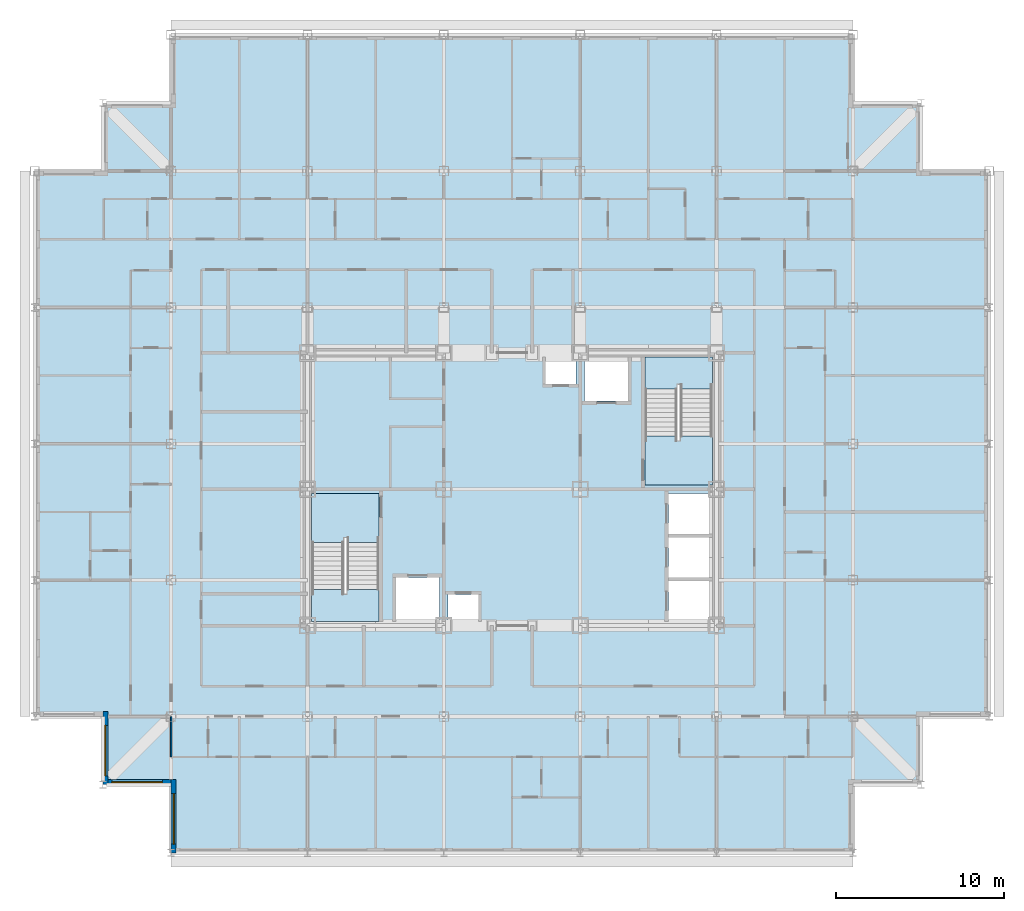
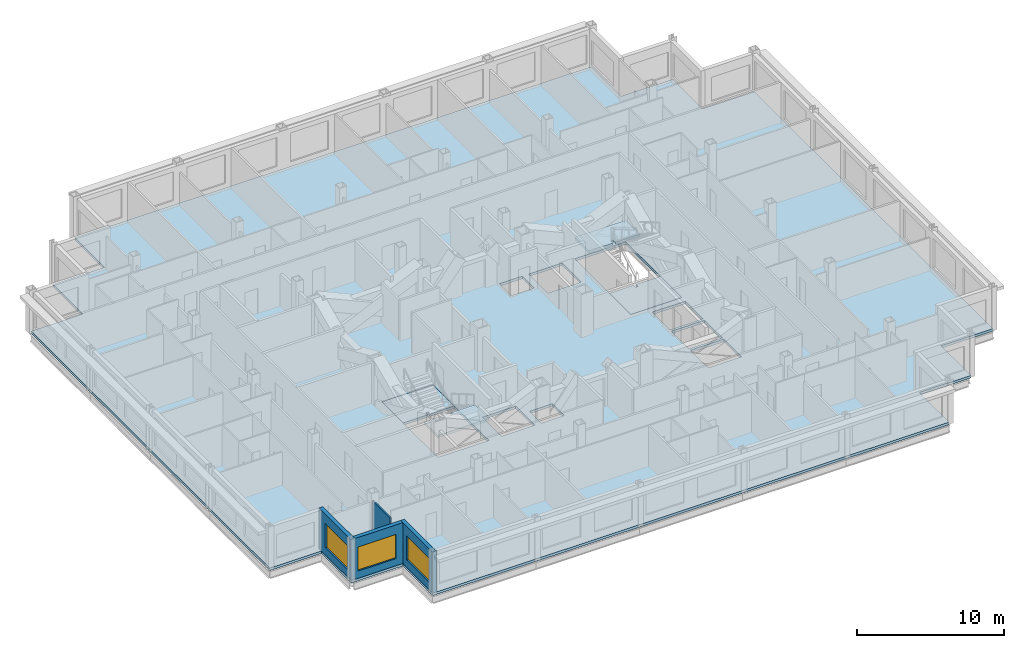
# One storey, part 3 of 12: 5 slabs, 4 walls, 3 windows, 3 openings, 2 elements without a shape of their own.
"""IFC4 building model written with IfcOpenShell, lengths in metres."""

from ifc_helpers import new_model, si_unit, direction, frame, frame_2d, origin, place, context, subcontext, project, spatial, polyline, rectangle, outline, extrude, material, layer, layer_set, type_object, element, fill, aggregate, save


model = new_model("IFC4")

# Units and contexts
model_context = context("Model", 3, precision=1e-05, world=origin(), true_north=direction((0.0, 1.0)))
body_context = subcontext(model_context, "Body", "Model", "MODEL_VIEW")
ifc_project = project(units=[si_unit("LENGTHUNIT", "METRE"), si_unit("AREAUNIT", "SQUARE_METRE"), si_unit("VOLUMEUNIT", "CUBIC_METRE"), si_unit("PLANEANGLEUNIT", "RADIAN"), si_unit("MASSUNIT", "GRAM", prefix="KILO")], contexts=[model_context])

# Site, building, storey
site_placement = place(None, origin())
site = spatial("IfcSite", under=ifc_project, at=site_placement, CompositionType="ELEMENT")
building_placement = place(site_placement, origin())
building = spatial("IfcBuilding", under=site, at=building_placement, Name="Kopane Lantern Tower", CompositionType="ELEMENT")
storey_placement = place(building_placement, frame((0.0, 0.0, 206.39990234375)))
storey = spatial("IfcBuildingStorey", under=building, at=storey_placement, Name="L53", CompositionType="ELEMENT", Elevation=206.39990234375)

# Slab
ifc_material_1 = material(Name="Concrete C40/50", Category="concrete")
ifc_layer_1 = layer(ifc_material_1, 0.2099609375)
ifc_layer_set_1 = layer_set([ifc_layer_1], Name="SLAB 210 COMPOSITE")
slab_type_1 = type_object("IfcSlabType", Name="SLAB 210 COMPOSITE", PredefinedType="FLOOR", material=ifc_layer_set_1)
slab_1_placement = place(storey_placement, frame((0.0, 0.0, -0.2099609375)))
element("IfcSlab", 1, at=slab_1_placement, inside=storey, type_object=slab_type_1, Name="Floor slab L53", PredefinedType="FLOOR", context=body_context, shape_type="SweptSolid", body=[
    extrude(outline(polyline([(8.10009765625, 10.800048828125), (48.60009765625, 10.800048828125), (48.60009765625, 14.85009765625), (52.64990234375, 14.85009765625), (52.64990234375, 18.89990234375), (56.699951171875, 18.89990234375), (56.699951171875, 51.300048828125), (52.64990234375, 51.300048828125), (52.64990234375, 55.35009765625), (48.60009765625, 55.35009765625), (48.60009765625, 59.39990234375), (8.10009765625, 59.39990234375), (8.10009765625, 55.35009765625), (4.050048828125, 55.35009765625), (4.050048828125, 51.300048828125), (0.0, 51.300048828125), (0.0, 18.89990234375), (4.050048828125, 18.89990234375), (4.050048828125, 14.85009765625), (8.10009765625, 14.85009765625), (8.10009765625, 10.800048828125)]), holes=[polyline([(16.449951171875, 24.550048828125), (20.449951171875, 24.550048828125), (20.449951171875, 32.14990234375), (16.449951171875, 32.14990234375), (16.449951171875, 24.550048828125)]), polyline([(36.25, 32.64990234375), (40.25, 32.64990234375), (40.25, 40.25), (36.25, 40.25), (36.25, 32.64990234375)]), polyline([(37.64990234375, 24.550048828125), (40.25, 24.550048828125), (40.25, 26.949951171875), (37.64990234375, 26.949951171875), (37.64990234375, 24.550048828125)]), polyline([(37.64990234375, 27.14990234375), (40.25, 27.14990234375), (40.25, 29.550048828125), (37.64990234375, 29.550048828125), (37.64990234375, 27.14990234375)]), polyline([(37.64990234375, 29.75), (40.25, 29.75), (40.25, 32.14990234375), (37.64990234375, 32.14990234375), (37.64990234375, 29.75)]), polyline([(21.449951171875, 24.550048828125), (24.050048828125, 24.550048828125), (24.050048828125, 27.14990234375), (21.449951171875, 27.14990234375), (21.449951171875, 24.550048828125)]), polyline([(32.64990234375, 37.64990234375), (35.25, 37.64990234375), (35.25, 40.25), (32.64990234375, 40.25), (32.64990234375, 37.64990234375)]), polyline([(24.550048828125, 24.550048828125), (26.35009765625, 24.550048828125), (26.35009765625, 26.14990234375), (24.550048828125, 26.14990234375), (24.550048828125, 24.550048828125)]), polyline([(30.35009765625, 38.64990234375), (32.14990234375, 38.64990234375), (32.14990234375, 40.25), (30.35009765625, 40.25), (30.35009765625, 38.64990234375)])]), origin(), (0.0, 0.0, 1.0), 0.2099609375),
])

# Stair, slabs
ifc_material_2 = material(Name="Steel S355JR", Category="steel")
stair_type = type_object("IfcStairType", Name="EXIT STAIR 1900 HALF TURN", PredefinedType="HALF_TURN_STAIR", material=ifc_material_2)
stair_1_placement = place(storey_placement, origin())
stair_1 = element("IfcStair", 2, at=stair_1_placement, inside=storey, type_object=stair_type, Name="Exit stair ST1 L53", PredefinedType="HALF_TURN_STAIR")
ifc_material_3 = material(Name="Concrete C40/50", Category="concrete")
ifc_layer_2 = layer(ifc_material_3, 0.199951171875)
ifc_layer_set_2 = layer_set([ifc_layer_2], Name="STAIR LANDING 200")
slab_type_2 = type_object("IfcSlabType", Name="STAIR LANDING 200", PredefinedType="LANDING", material=ifc_layer_set_2)
slab_2_placement = place(storey_placement, frame((0.0, 0.0, -0.199951171875)))
slab_2 = element("IfcSlab", 3, at=slab_2_placement, type_object=slab_type_2, Name="ST1 landing 1", PredefinedType="LANDING", context=body_context, shape_type="SweptSolid", body=[
    extrude(outline(polyline([(18.35009765625, 29.530029296875), (18.550048828125, 29.530029296875), (18.550048828125, 29.25), (20.449951171875, 29.25), (20.449951171875, 32.14990234375), (16.449951171875, 32.14990234375), (16.449951171875, 29.25), (18.35009765625, 29.25), (18.35009765625, 29.530029296875)])), origin(), (0.0, 0.0, 1.0), 0.199951171875),
])
slab_3_placement = place(storey_placement, frame((0.0, 0.0, 1.60009765625)))
slab_3 = element("IfcSlab", 4, at=slab_3_placement, type_object=slab_type_2, Name="ST1 landing 2", PredefinedType="LANDING", context=body_context, shape_type="SweptSolid", body=[
    extrude(outline(polyline([(20.449951171875, 26.449951171875), (18.550048828125, 26.449951171875), (18.550048828125, 26.169921875), (18.35009765625, 26.169921875), (18.35009765625, 26.449951171875), (16.449951171875, 26.449951171875), (16.449951171875, 24.550048828125), (20.449951171875, 24.550048828125), (20.449951171875, 26.449951171875)])), origin(), (0.0, 0.0, 1.0), 0.199951171875),
])
aggregate(stair_1, [slab_2, slab_3])

stair_2_placement = place(storey_placement, origin())
stair_2 = element("IfcStair", 5, at=stair_2_placement, inside=storey, type_object=stair_type, Name="Exit stair ST2 L53", PredefinedType="HALF_TURN_STAIR")
slab_4_placement = place(storey_placement, frame((0.0, 0.0, -0.199951171875)))
slab_4 = element("IfcSlab", 6, at=slab_4_placement, type_object=slab_type_2, Name="ST2 landing 1", PredefinedType="LANDING", context=body_context, shape_type="SweptSolid", body=[
    extrude(outline(polyline([(40.25, 35.550048828125), (38.35009765625, 35.550048828125), (38.35009765625, 35.27001953125), (38.14990234375, 35.27001953125), (38.14990234375, 35.550048828125), (36.25, 35.550048828125), (36.25, 32.64990234375), (40.25, 32.64990234375), (40.25, 35.550048828125)])), origin(), (0.0, 0.0, 1.0), 0.199951171875),
])
slab_5_placement = place(storey_placement, frame((0.0, 0.0, 1.60009765625)))
slab_5 = element("IfcSlab", 7, at=slab_5_placement, type_object=slab_type_2, Name="ST2 landing 2", PredefinedType="LANDING", context=body_context, shape_type="SweptSolid", body=[
    extrude(outline(polyline([(38.14990234375, 38.6298828125), (38.35009765625, 38.6298828125), (38.35009765625, 38.35009765625), (40.25, 38.35009765625), (40.25, 40.25), (36.25, 40.25), (36.25, 38.35009765625), (38.14990234375, 38.35009765625), (38.14990234375, 38.6298828125)])), origin(), (0.0, 0.0, 1.0), 0.199951171875),
])
aggregate(stair_2, [slab_4, slab_5])

# Wall
ifc_material_4 = material(Name="Moisture-resistant board on steel studs", Category="steel")
ifc_layer_3 = layer(ifc_material_4, 0.10009765625)
ifc_layer_set_3 = layer_set([ifc_layer_3], Name="BATHROOM WALL 100")
wall_type_1 = type_object("IfcWallType", Name="BATHROOM WALL 100", PredefinedType="PARTITIONING", material=ifc_layer_set_3)
wall_1_placement = place(storey_placement, frame((8.10009765625, 18.89990234375, 0.0), z_axis=(0.0, 0.0, 1.0), x_axis=(0.0, -1.0, 0.0)))
element("IfcWall", 8, at=wall_1_placement, inside=storey, type_object=wall_type_1, Name="Bathroom Wall 100 L53", PredefinedType="PARTITIONING", context=body_context, shape_type="SweptSolid", body=[
    extrude(rectangle(XDim=2.39990234375, YDim=0.10009765625, at=frame_2d((1.199951171875, 0.0))), origin(), (0.0, 0.0, 1.0), 2.77783203125),
])

# Wall, opening, window
ifc_material_5 = material(Name="Terracotta rainscreen on light steel framing", Category="masonry")
ifc_layer_4 = layer(ifc_material_5, 0.300048828125)
ifc_layer_set_4 = layer_set([ifc_layer_4], Name="EXTERNAL WALL EW1 300 TERRACOTTA")
wall_type_2 = type_object("IfcWallType", Name="EXTERNAL WALL EW1 300 TERRACOTTA", PredefinedType="SOLIDWALL", material=ifc_layer_set_4)
wall_2_placement = place(storey_placement, frame((4.199951171875, 19.199951171875, 0.0), z_axis=(0.0, 0.0, 1.0), x_axis=(0.0, -1.0, 0.0)))
wall_2 = element("IfcWall", 9, at=wall_2_placement, inside=storey, type_object=wall_type_2, Name="External wall W L53", PredefinedType="SOLIDWALL", context=body_context, shape_type="SweptSolid", body=[
    extrude(rectangle(XDim=4.349853515625, YDim=0.300048828125, at=frame_2d((2.1748046875, 0.0))), origin(), (0.0, 0.0, 1.0), 3.39013671875),
])
opening_1_placement = place(wall_2_placement, frame((0.824951171875, 0.0, 0.60009765625)))
opening_1 = element("IfcOpeningElement", 10, at=opening_1_placement, cuts=wall_2, Name="Opening WR300200", PredefinedType="OPENING", context=body_context, shape_type="SweptSolid", body=[
    extrude(rectangle(XDim=3.0, YDim=2.0, at=frame_2d((1.5, 1.0))), frame((0.0, 0.159912109375, 0.0), z_axis=(0.0, -1.0, 0.0), x_axis=(1.0, 0.0, 0.0)), (0.0, 0.0, 1.0), 0.320068359375),
])
ifc_material_6 = material(Name="Aluminium and clear glass", Category="aluminium")
window_type = type_object("IfcWindowType", Name="RIBBON WINDOW WR300200 3000x2000", PartitioningType="SINGLE_PANEL", PredefinedType="WINDOW", material=ifc_material_6)
window_1_placement = place(opening_1_placement, origin())
window_1 = element("IfcWindow", 11, at=window_1_placement, inside=storey, type_object=window_type, Name="Window W L53", OverallHeight=2.0, OverallWidth=3.0, PartitioningType="SINGLE_PANEL", PredefinedType="WINDOW", context=body_context, shape_type="SweptSolid", body=[
    extrude(rectangle(XDim=3.0, YDim=2.0, at=frame_2d((1.5, 1.0))), frame((0.0, 0.030029296875, 0.0), z_axis=(0.0, -1.0, 0.0), x_axis=(1.0, 0.0, 0.0)), (0.0, 0.0, 1.0), 0.06005859375),
])
fill(opening_1, window_1)

wall_3_placement = place(storey_placement, frame((4.35009765625, 15.0, 0.0), z_axis=(0.0, 0.0, 1.0), x_axis=(1.0, 0.0, 0.0)))
wall_3 = element("IfcWall", 12, at=wall_3_placement, inside=storey, type_object=wall_type_2, Name="External wall S L53", PredefinedType="SOLIDWALL", context=body_context, shape_type="SweptSolid", body=[
    extrude(rectangle(XDim=3.75, YDim=0.300048828125, at=frame_2d((1.875, 0.0))), origin(), (0.0, 0.0, 1.0), 3.39013671875),
])
opening_2_placement = place(wall_3_placement, frame((0.22509765625, 0.0, 0.60009765625)))
opening_2 = element("IfcOpeningElement", 13, at=opening_2_placement, cuts=wall_3, Name="Opening WR300200", PredefinedType="OPENING", context=body_context, shape_type="SweptSolid", body=[
    extrude(rectangle(XDim=3.0, YDim=2.0, at=frame_2d((1.5, 1.0))), frame((0.0, 0.159912109375, 0.0), z_axis=(0.0, -1.0, 0.0), x_axis=(1.0, 0.0, 0.0)), (0.0, 0.0, 1.0), 0.320068359375),
])
window_2_placement = place(opening_2_placement, origin())
window_2 = element("IfcWindow", 14, at=window_2_placement, inside=storey, type_object=window_type, Name="Window S L53", OverallHeight=2.0, OverallWidth=3.0, PartitioningType="SINGLE_PANEL", PredefinedType="WINDOW", context=body_context, shape_type="SweptSolid", body=[
    extrude(rectangle(XDim=3.0, YDim=2.0, at=frame_2d((1.5, 1.0))), frame((0.0, 0.030029296875, 0.0), z_axis=(0.0, -1.0, 0.0), x_axis=(1.0, 0.0, 0.0)), (0.0, 0.0, 1.0), 0.06005859375),
])
fill(opening_2, window_2)

wall_4_placement = place(storey_placement, frame((8.25, 15.14990234375, 0.0), z_axis=(0.0, 0.0, 1.0), x_axis=(0.0, -1.0, 0.0)))
wall_4 = element("IfcWall", 15, at=wall_4_placement, inside=storey, type_object=wall_type_2, Name="External wall W L53", PredefinedType="SOLIDWALL", context=body_context, shape_type="SweptSolid", body=[
    extrude(rectangle(XDim=4.349853515625, YDim=0.300048828125, at=frame_2d((2.1748046875, 0.0))), origin(), (0.0, 0.0, 1.0), 3.39013671875),
])
opening_3_placement = place(wall_4_placement, frame((0.824951171875, 0.0, 0.60009765625)))
opening_3 = element("IfcOpeningElement", 16, at=opening_3_placement, cuts=wall_4, Name="Opening WR300200", PredefinedType="OPENING", context=body_context, shape_type="SweptSolid", body=[
    extrude(rectangle(XDim=3.0, YDim=2.0, at=frame_2d((1.5, 1.0))), frame((0.0, 0.159912109375, 0.0), z_axis=(0.0, -1.0, 0.0), x_axis=(1.0, 0.0, 0.0)), (0.0, 0.0, 1.0), 0.320068359375),
])
window_3_placement = place(opening_3_placement, origin())
window_3 = element("IfcWindow", 17, at=window_3_placement, inside=storey, type_object=window_type, Name="Window W L53", OverallHeight=2.0, OverallWidth=3.0, PartitioningType="SINGLE_PANEL", PredefinedType="WINDOW", context=body_context, shape_type="SweptSolid", body=[
    extrude(rectangle(XDim=3.0, YDim=2.0, at=frame_2d((1.5, 1.0))), frame((0.0, 0.030029296875, 0.0), z_axis=(0.0, -1.0, 0.0), x_axis=(1.0, 0.0, 0.0)), (0.0, 0.0, 1.0), 0.06005859375),
])
fill(opening_3, window_3)

save(model, "model.ifc")
